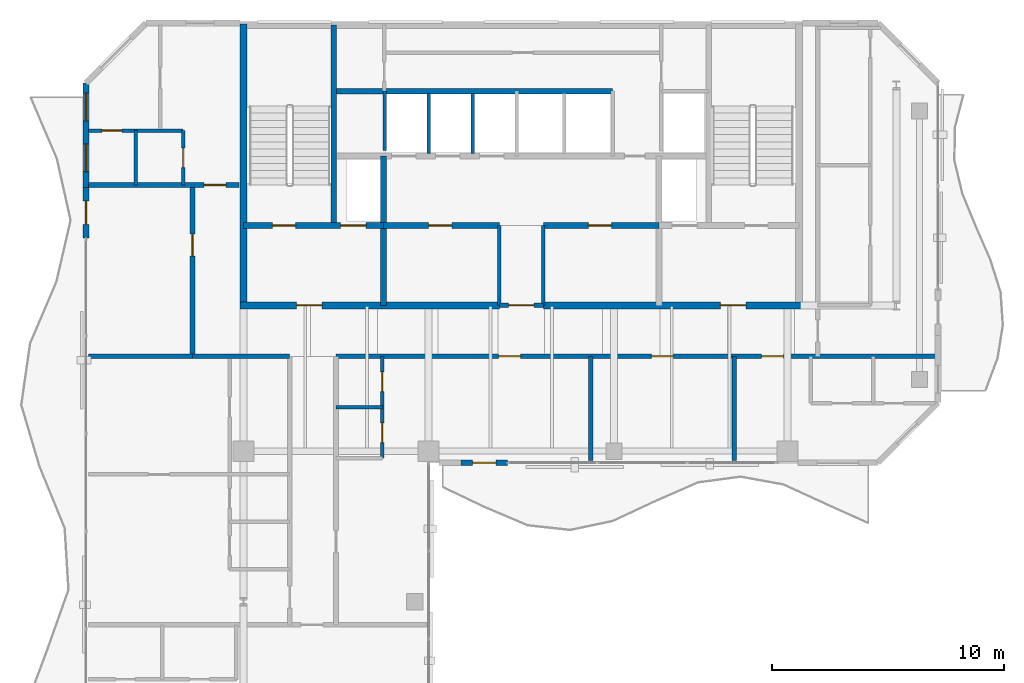
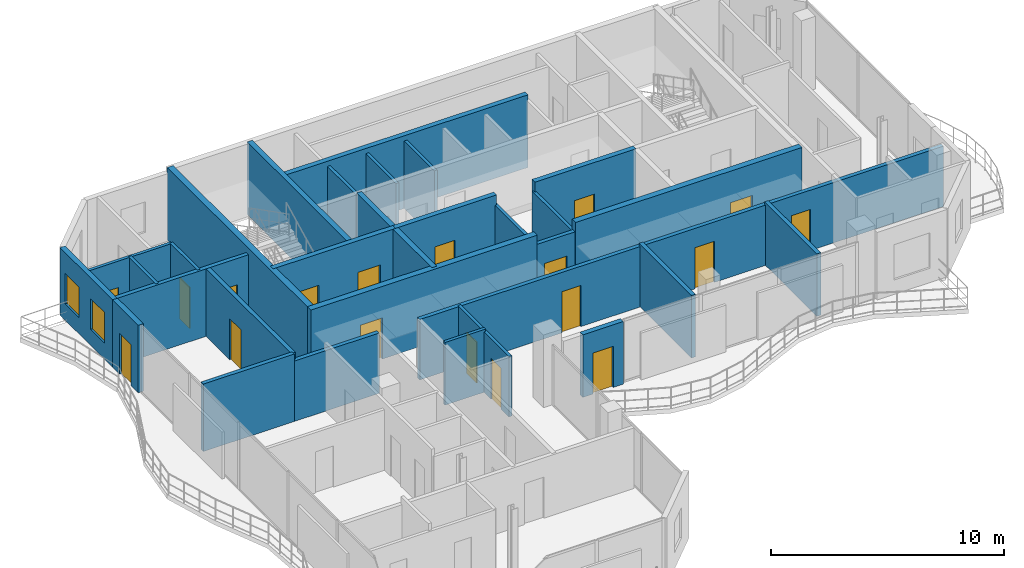
# One storey, part 13 of 17: 30 walls, 18 doors, 2 windows, 20 openings.
"""IFC4 building model written with IfcOpenShell, lengths in metres."""

from ifc_helpers import new_model, si_unit, direction, frame, frame_2d, origin, place, context, subcontext, project, spatial, rectangle, extrude, material, layer, layer_set, type_object, element, fill, save


model = new_model("IFC4")

# Units and contexts
model_context = context("Model", 3, precision=1e-05, world=origin(), true_north=direction((0.0, 1.0)))
body_context = subcontext(model_context, "Body", "Model", "MODEL_VIEW")
ifc_project = project(units=[si_unit("LENGTHUNIT", "METRE"), si_unit("AREAUNIT", "SQUARE_METRE"), si_unit("VOLUMEUNIT", "CUBIC_METRE"), si_unit("PLANEANGLEUNIT", "RADIAN"), si_unit("MASSUNIT", "GRAM", prefix="KILO")], contexts=[model_context])

# Site, building, storey
site_placement = place(None, origin())
site = spatial("IfcSite", under=ifc_project, at=site_placement, CompositionType="ELEMENT")
building_placement = place(site_placement, origin())
building = spatial("IfcBuilding", under=site, at=building_placement, Name="Catumbela Crestline Tower", CompositionType="ELEMENT")
storey_placement = place(building_placement, frame((0.0, 0.0, 271.6)))
storey = spatial("IfcBuildingStorey", under=building, at=storey_placement, Name="L70", CompositionType="ELEMENT", Elevation=271.6)

# Walls
ifc_material_1 = material(Name="Concrete C50/60", Category="concrete")
ifc_layer_1 = layer(ifc_material_1, 0.25, Name="Concrete C50/60")
ifc_layer_set_1 = layer_set([ifc_layer_1], Name="Concrete C50/60")
wall_type_1 = type_object("IfcWallType", Name="CW-250D", PredefinedType="SHEAR", material=ifc_layer_set_1)
wall_1_placement = place(storey_placement, frame((19.9, 34.25, 0.0), z_axis=(0.0, 0.0, 1.0), x_axis=(0.0, 1.0, 0.0)))
element("IfcWall", 1, at=wall_1_placement, inside=storey, type_object=wall_type_1, Name="L70 Structural Core Shear Wall WWEB", PredefinedType="SHEAR", context=body_context, shape_type="SweptSolid", body=[
    extrude(rectangle(XDim=8.65, YDim=0.25, at=frame_2d((4.325, 0.0))), origin(), (0.0, 0.0, 1.0), 3.8),
])
wall_2_placement = place(storey_placement, frame((22.05, 30.8, 0.0), z_axis=(0.0, 0.0, 1.0), x_axis=(0.0, 1.0, 0.0)))
element("IfcWall", 2, at=wall_2_placement, inside=storey, type_object=wall_type_1, Name="L70 Structural Core Shear Wall FFW", PredefinedType="SHEAR", context=body_context, shape_type="SweptSolid", body=[
    extrude(rectangle(XDim=6.45, YDim=0.25, at=frame_2d((3.225, 0.0))), origin(), (0.0, 0.0, 1.0), 3.8),
])

# Wall, openings, doors
wall_3_placement = place(storey_placement, frame((16.0, 34.25, 0.0), z_axis=(0.0, 0.0, 1.0), x_axis=(1.0, 0.0, 0.0)))
wall_3 = element("IfcWall", 3, at=wall_3_placement, inside=storey, type_object=wall_type_1, Name="L70 Structural Core Shear Wall ST1S", PredefinedType="SHEAR", context=body_context, shape_type="SweptSolid", body=[
    extrude(rectangle(XDim=6.05, YDim=0.25, at=frame_2d((3.025, 0.0))), origin(), (0.0, 0.0, 1.0), 3.8),
])
opening_1_placement = place(wall_3_placement, frame((1.25, 0.0, 0.0)))
opening_1 = element("IfcOpeningElement", 4, at=opening_1_placement, cuts=wall_3, Name="Opening DF9-100", PredefinedType="OPENING", context=body_context, shape_type="SweptSolid", body=[
    extrude(rectangle(XDim=1.0, YDim=2.15, at=frame_2d((0.5, 1.075))), frame((0.0, 0.135, 0.0), z_axis=(0.0, -1.0, 0.0), x_axis=(1.0, 0.0, 0.0)), (0.0, 0.0, 1.0), 0.27),
])
opening_2_placement = place(wall_3_placement, frame((4.2, 0.0, 0.0)))
opening_2 = element("IfcOpeningElement", 5, at=opening_2_placement, cuts=wall_3, Name="Opening LD-110", PredefinedType="OPENING", context=body_context, shape_type="SweptSolid", body=[
    extrude(rectangle(XDim=1.1, YDim=2.15, at=frame_2d((0.55, 1.075))), frame((0.0, 0.135, 0.0), z_axis=(0.0, -1.0, 0.0), x_axis=(1.0, 0.0, 0.0)), (0.0, 0.0, 1.0), 0.27),
])
ifc_material_2 = material(Name="Stainless steel EN 1.4401", Category="steel")
door_type_1 = type_object("IfcDoorType", Name="DF9-100", OperationType="NOTDEFINED", PredefinedType="DOOR", material=ifc_material_2)
door_1_placement = place(opening_1_placement, origin())
door_1 = element("IfcDoor", 6, at=door_1_placement, inside=storey, type_object=door_type_1, Name="L70 Interior Door DR-L70-ST01", OperationType="SINGLE_SWING_LEFT", OverallHeight=2.15, OverallWidth=1.0, PredefinedType="DOOR", context=body_context, shape_type="SweptSolid", body=[
    extrude(rectangle(XDim=1.0, YDim=2.15, at=frame_2d((0.5, 1.075))), frame((0.0, 0.025, 0.0), z_axis=(0.0, -1.0, 0.0), x_axis=(1.0, 0.0, 0.0)), (0.0, 0.0, 1.0), 0.05),
])
fill(opening_1, door_1)
door_type_2 = type_object("IfcDoorType", Name="LD-110", OperationType="NOTDEFINED", PredefinedType="DOOR", material=ifc_material_2)
door_2_placement = place(opening_2_placement, origin())
door_2 = element("IfcDoor", 7, at=door_2_placement, inside=storey, type_object=door_type_2, Name="L70 Lift Landing Sliding Door FL-01", OperationType="DOUBLE_DOOR_SLIDING", OverallHeight=2.15, OverallWidth=1.1, PredefinedType="DOOR", context=body_context, shape_type="SweptSolid", body=[
    extrude(rectangle(XDim=1.1, YDim=2.15, at=frame_2d((0.55, 1.075))), frame((0.0, 0.025, 0.0), z_axis=(0.0, -1.0, 0.0), x_axis=(1.0, 0.0, 0.0)), (0.0, 0.0, 1.0), 0.05),
])
fill(opening_2, door_2)

# Wall, opening, door
wall_4_placement = place(storey_placement, frame((22.05, 34.25, 0.0), z_axis=(0.0, 0.0, 1.0), x_axis=(1.0, 0.0, 0.0)))
wall_4 = element("IfcWall", 8, at=wall_4_placement, inside=storey, type_object=wall_type_1, Name="L70 Structural Core Shear Wall LIFTS-W", PredefinedType="SHEAR", context=body_context, shape_type="SweptSolid", body=[
    extrude(rectangle(XDim=5.0, YDim=0.25, at=frame_2d((2.5, 0.0))), origin(), (0.0, 0.0, 1.0), 3.8),
])
opening_3_placement = place(wall_4_placement, frame((1.95, 0.0, 0.0)))
opening_3 = element("IfcOpeningElement", 9, at=opening_3_placement, cuts=wall_4, Name="Opening DF9-100", PredefinedType="OPENING", context=body_context, shape_type="SweptSolid", body=[
    extrude(rectangle(XDim=1.0, YDim=2.15, at=frame_2d((0.5, 1.075))), frame((0.0, 0.135, 0.0), z_axis=(0.0, -1.0, 0.0), x_axis=(1.0, 0.0, 0.0)), (0.0, 0.0, 1.0), 0.27),
])
door_3_placement = place(opening_3_placement, origin())
door_3 = element("IfcDoor", 10, at=door_3_placement, inside=storey, type_object=door_type_1, Name="L70 Interior Door DR-L70-RECL1", OperationType="SINGLE_SWING_LEFT", OverallHeight=2.15, OverallWidth=1.0, PredefinedType="DOOR", context=body_context, shape_type="SweptSolid", body=[
    extrude(rectangle(XDim=1.0, YDim=2.15, at=frame_2d((0.5, 1.075))), frame((0.0, 0.025, 0.0), z_axis=(0.0, -1.0, 0.0), x_axis=(1.0, 0.0, 0.0)), (0.0, 0.0, 1.0), 0.05),
])
fill(opening_3, door_3)

wall_5_placement = place(storey_placement, frame((28.95, 34.25, 0.0), z_axis=(0.0, 0.0, 1.0), x_axis=(1.0, 0.0, 0.0)))
wall_5 = element("IfcWall", 11, at=wall_5_placement, inside=storey, type_object=wall_type_1, Name="L70 Structural Core Shear Wall LIFTS-E", PredefinedType="SHEAR", context=body_context, shape_type="SweptSolid", body=[
    extrude(rectangle(XDim=5.0, YDim=0.25, at=frame_2d((2.5, 0.0))), origin(), (0.0, 0.0, 1.0), 3.8),
])
opening_4_placement = place(wall_5_placement, frame((1.95, 0.0, 0.0)))
opening_4 = element("IfcOpeningElement", 12, at=opening_4_placement, cuts=wall_5, Name="Opening DF9-100", PredefinedType="OPENING", context=body_context, shape_type="SweptSolid", body=[
    extrude(rectangle(XDim=1.0, YDim=2.15, at=frame_2d((0.5, 1.075))), frame((0.0, 0.135, 0.0), z_axis=(0.0, -1.0, 0.0), x_axis=(1.0, 0.0, 0.0)), (0.0, 0.0, 1.0), 0.27),
])
door_4_placement = place(opening_4_placement, origin())
door_4 = element("IfcDoor", 13, at=door_4_placement, inside=storey, type_object=door_type_1, Name="L70 Interior Door DR-L70-RECL2", OperationType="SINGLE_SWING_RIGHT", OverallHeight=2.15, OverallWidth=1.0, PredefinedType="DOOR", context=body_context, shape_type="SweptSolid", body=[
    extrude(rectangle(XDim=1.0, YDim=2.15, at=frame_2d((0.5, 1.075))), frame((0.0, 0.025, 0.0), z_axis=(0.0, -1.0, 0.0), x_axis=(1.0, 0.0, 0.0)), (0.0, 0.0, 1.0), 0.05),
])
fill(opening_4, door_4)

# Walls
wall_6_placement = place(storey_placement, frame((19.9, 40.05, 0.0), z_axis=(0.0, 0.0, 1.0), x_axis=(1.0, 0.0, 0.0)))
element("IfcWall", 14, at=wall_6_placement, inside=storey, type_object=wall_type_1, Name="L70 Structural Core Shear Wall COREN", PredefinedType="SHEAR", context=body_context, shape_type="SweptSolid", body=[
    extrude(rectangle(XDim=12.05, YDim=0.25, at=frame_2d((6.025, 0.0))), origin(), (0.0, 0.0, 1.0), 3.8),
])
ifc_material_3 = material(Name="Concrete C45/55", Category="concrete")
ifc_layer_2 = layer(ifc_material_3, 0.3, Name="Concrete C45/55")
ifc_layer_set_2 = layer_set([ifc_layer_2], Name="Concrete C45/55")
wall_type_2 = type_object("IfcWallType", Name="CW-300C", PredefinedType="SHEAR", material=ifc_layer_set_2)
wall_7_placement = place(storey_placement, frame((16.0, 30.65, 0.0), z_axis=(0.0, 0.0, 1.0), x_axis=(0.0, 1.0, 0.0)))
element("IfcWall", 15, at=wall_7_placement, inside=storey, type_object=wall_type_2, Name="L70 Structural Core Shear Wall W", PredefinedType="SHEAR", context=body_context, shape_type="SweptSolid", body=[
    extrude(rectangle(XDim=12.3, YDim=0.3, at=frame_2d((6.15, 0.0))), origin(), (0.0, 0.0, 1.0), 3.8),
])

# Wall, opening, door
wall_8_placement = place(storey_placement, frame((15.85, 30.8, 0.0), z_axis=(0.0, 0.0, 1.0), x_axis=(1.0, 0.0, 0.0)))
wall_8 = element("IfcWall", 16, at=wall_8_placement, inside=storey, type_object=wall_type_2, Name="L70 Structural Core Shear Wall SW", PredefinedType="SHEAR", context=body_context, shape_type="SweptSolid", body=[
    extrude(rectangle(XDim=11.2, YDim=0.3, at=frame_2d((5.6, 0.0))), origin(), (0.0, 0.0, 1.0), 3.8),
])
opening_5_placement = place(wall_8_placement, frame((2.45, 0.0, 0.0)))
opening_5 = element("IfcOpeningElement", 17, at=opening_5_placement, cuts=wall_8, Name="Opening DF9-110", PredefinedType="OPENING", context=body_context, shape_type="SweptSolid", body=[
    extrude(rectangle(XDim=1.1, YDim=2.15, at=frame_2d((0.55, 1.075))), frame((0.0, 0.16, 0.0), z_axis=(0.0, -1.0, 0.0), x_axis=(1.0, 0.0, 0.0)), (0.0, 0.0, 1.0), 0.32),
])
door_type_3 = type_object("IfcDoorType", Name="DF9-110", OperationType="NOTDEFINED", PredefinedType="DOOR", material=ifc_material_2)
door_5_placement = place(opening_5_placement, origin())
door_5 = element("IfcDoor", 18, at=door_5_placement, inside=storey, type_object=door_type_3, Name="L70 Interior Door DR-L70-FFW-S", OperationType="SINGLE_SWING_LEFT", OverallHeight=2.15, OverallWidth=1.1, PredefinedType="DOOR", context=body_context, shape_type="SweptSolid", body=[
    extrude(rectangle(XDim=1.1, YDim=2.15, at=frame_2d((0.55, 1.075))), frame((0.0, 0.025, 0.0), z_axis=(0.0, -1.0, 0.0), x_axis=(1.0, 0.0, 0.0)), (0.0, 0.0, 1.0), 0.05),
])
fill(opening_5, door_5)

wall_9_placement = place(storey_placement, frame((28.95, 30.8, 0.0), z_axis=(0.0, 0.0, 1.0), x_axis=(1.0, 0.0, 0.0)))
wall_9 = element("IfcWall", 19, at=wall_9_placement, inside=storey, type_object=wall_type_2, Name="L70 Structural Core Shear Wall SE", PredefinedType="SHEAR", context=body_context, shape_type="SweptSolid", body=[
    extrude(rectangle(XDim=11.2, YDim=0.3, at=frame_2d((5.6, 0.0))), origin(), (0.0, 0.0, 1.0), 3.8),
])
opening_6_placement = place(wall_9_placement, frame((7.65, 0.0, 0.0)))
opening_6 = element("IfcOpeningElement", 20, at=opening_6_placement, cuts=wall_9, Name="Opening DF9-110", PredefinedType="OPENING", context=body_context, shape_type="SweptSolid", body=[
    extrude(rectangle(XDim=1.1, YDim=2.15, at=frame_2d((0.55, 1.075))), frame((0.0, 0.16, 0.0), z_axis=(0.0, -1.0, 0.0), x_axis=(1.0, 0.0, 0.0)), (0.0, 0.0, 1.0), 0.32),
])
door_6_placement = place(opening_6_placement, origin())
door_6 = element("IfcDoor", 21, at=door_6_placement, inside=storey, type_object=door_type_3, Name="L70 Interior Door DR-L70-FFE-S", OperationType="SINGLE_SWING_RIGHT", OverallHeight=2.15, OverallWidth=1.1, PredefinedType="DOOR", context=body_context, shape_type="SweptSolid", body=[
    extrude(rectangle(XDim=1.1, YDim=2.15, at=frame_2d((0.55, 1.075))), frame((0.0, 0.025, 0.0), z_axis=(0.0, -1.0, 0.0), x_axis=(1.0, 0.0, 0.0)), (0.0, 0.0, 1.0), 0.05),
])
fill(opening_6, door_6)

ifc_material_4 = material(Name="Acoustic gypsum and mineral-wool partition")
ifc_layer_3 = layer(ifc_material_4, 0.2, Name="Acoustic gypsum and mineral-wool partition")
ifc_layer_set_3 = layer_set([ifc_layer_3], Name="Acoustic gypsum and mineral-wool partition")
wall_type_3 = type_object("IfcWallType", Name="WC-200", PredefinedType="PARTITIONING", material=ifc_layer_set_3)
wall_10_placement = place(storey_placement, frame((27.05, 30.8, 0.0), z_axis=(0.0, 0.0, 1.0), x_axis=(1.0, 0.0, 0.0)))
wall_10 = element("IfcWall", 22, at=wall_10_placement, inside=storey, type_object=wall_type_3, Name="L70 Interior Partition PW-L70-CLOBS", PredefinedType="PARTITIONING", context=body_context, shape_type="SweptSolid", body=[
    extrude(rectangle(XDim=1.9, YDim=0.2, at=frame_2d((0.95, 0.0))), origin(), (0.0, 0.0, 1.0), 3.28),
])
opening_7_placement = place(wall_10_placement, frame((0.4, 0.0, 0.0)))
opening_7 = element("IfcOpeningElement", 23, at=opening_7_placement, cuts=wall_10, Name="Opening DF9-110", PredefinedType="OPENING", context=body_context, shape_type="SweptSolid", body=[
    extrude(rectangle(XDim=1.1, YDim=2.15, at=frame_2d((0.55, 1.075))), frame((0.0, 0.11, 0.0), z_axis=(0.0, -1.0, 0.0), x_axis=(1.0, 0.0, 0.0)), (0.0, 0.0, 1.0), 0.22),
])
door_7_placement = place(opening_7_placement, origin())
door_7 = element("IfcDoor", 24, at=door_7_placement, inside=storey, type_object=door_type_3, Name="L70 Interior Door DR-L70-CLOBS", OperationType="SINGLE_SWING_LEFT", OverallHeight=2.15, OverallWidth=1.1, PredefinedType="DOOR", context=body_context, shape_type="SweptSolid", body=[
    extrude(rectangle(XDim=1.1, YDim=2.15, at=frame_2d((0.55, 1.075))), frame((0.0, 0.025, 0.0), z_axis=(0.0, -1.0, 0.0), x_axis=(1.0, 0.0, 0.0)), (0.0, 0.0, 1.0), 0.05),
])
fill(opening_7, door_7)

# Wall
wall_11_placement = place(storey_placement, frame((13.8, 28.6, 0.0), z_axis=(0.0, 0.0, 1.0), x_axis=(1.0, 0.0, 0.0)))
element("IfcWall", 25, at=wall_11_placement, inside=storey, type_object=wall_type_3, Name="L70 Interior Partition PW-L70-RCWL", PredefinedType="PARTITIONING", context=body_context, shape_type="SweptSolid", body=[
    extrude(rectangle(XDim=4.2, YDim=0.2, at=frame_2d((2.1, 0.0))), origin(), (0.0, 0.0, 1.0), 3.16),
])

# Wall, openings, doors
wall_12_placement = place(storey_placement, frame((20.0, 28.6, 0.0), z_axis=(0.0, 0.0, 1.0), x_axis=(1.0, 0.0, 0.0)))
wall_12 = element("IfcWall", 26, at=wall_12_placement, inside=storey, type_object=wall_type_3, Name="L70 Interior Partition PW-L70-RCWR", PredefinedType="PARTITIONING", context=body_context, shape_type="SweptSolid", body=[
    extrude(rectangle(XDim=25.9, YDim=0.2, at=frame_2d((12.95, 0.0))), origin(), (0.0, 0.0, 1.0), 3.16),
])
opening_8_placement = place(wall_12_placement, frame((7.025, 0.0, 0.0)))
opening_8 = element("IfcOpeningElement", 27, at=opening_8_placement, cuts=wall_12, Name="Opening DF6-095", PredefinedType="OPENING", context=body_context, shape_type="SweptSolid", body=[
    extrude(rectangle(XDim=0.95, YDim=2.15, at=frame_2d((0.475, 1.075))), frame((0.0, 0.11, 0.0), z_axis=(0.0, -1.0, 0.0), x_axis=(1.0, 0.0, 0.0)), (0.0, 0.0, 1.0), 0.22),
])
opening_9_placement = place(wall_12_placement, frame((13.625, 0.0, 0.0)))
opening_9 = element("IfcOpeningElement", 28, at=opening_9_placement, cuts=wall_12, Name="Opening DF6-095", PredefinedType="OPENING", context=body_context, shape_type="SweptSolid", body=[
    extrude(rectangle(XDim=0.95, YDim=2.15, at=frame_2d((0.475, 1.075))), frame((0.0, 0.11, 0.0), z_axis=(0.0, -1.0, 0.0), x_axis=(1.0, 0.0, 0.0)), (0.0, 0.0, 1.0), 0.22),
])
opening_10_placement = place(wall_12_placement, frame((18.378, 0.0, 0.0)))
opening_10 = element("IfcOpeningElement", 29, at=opening_10_placement, cuts=wall_12, Name="Opening DF6-095", PredefinedType="OPENING", context=body_context, shape_type="SweptSolid", body=[
    extrude(rectangle(XDim=0.95, YDim=2.15, at=frame_2d((0.475, 1.075))), frame((0.0, 0.11, 0.0), z_axis=(0.0, -1.0, 0.0), x_axis=(1.0, 0.0, 0.0)), (0.0, 0.0, 1.0), 0.22),
])
ifc_material_5 = material(Name="Aluminium alloy AW-6060-T66", Category="aluminium")
door_type_4 = type_object("IfcDoorType", Name="DF6-095", OperationType="NOTDEFINED", PredefinedType="DOOR", material=ifc_material_5)
door_8_placement = place(opening_8_placement, origin())
door_8 = element("IfcDoor", 30, at=door_8_placement, inside=storey, type_object=door_type_4, Name="L70 Interior Door DR-L70-Z4G41-ENT", OperationType="SINGLE_SWING_LEFT", OverallHeight=2.15, OverallWidth=0.95, PredefinedType="DOOR", context=body_context, shape_type="SweptSolid", body=[
    extrude(rectangle(XDim=0.95, YDim=2.15, at=frame_2d((0.475, 1.075))), frame((0.0, 0.025, 0.0), z_axis=(0.0, -1.0, 0.0), x_axis=(1.0, 0.0, 0.0)), (0.0, 0.0, 1.0), 0.05),
])
fill(opening_8, door_8)
door_9_placement = place(opening_9_placement, origin())
door_9 = element("IfcDoor", 31, at=door_9_placement, inside=storey, type_object=door_type_4, Name="L70 Interior Door DR-L70-Z4G42-ENT", OperationType="SINGLE_SWING_RIGHT", OverallHeight=2.15, OverallWidth=0.95, PredefinedType="DOOR", context=body_context, shape_type="SweptSolid", body=[
    extrude(rectangle(XDim=0.95, YDim=2.15, at=frame_2d((0.475, 1.075))), frame((0.0, 0.025, 0.0), z_axis=(0.0, -1.0, 0.0), x_axis=(1.0, 0.0, 0.0)), (0.0, 0.0, 1.0), 0.05),
])
fill(opening_9, door_9)
door_10_placement = place(opening_10_placement, origin())
door_10 = element("IfcDoor", 32, at=door_10_placement, inside=storey, type_object=door_type_4, Name="L70 Interior Door DR-L70-S3-ENT", OperationType="SINGLE_SWING_LEFT", OverallHeight=2.15, OverallWidth=0.95, PredefinedType="DOOR", context=body_context, shape_type="SweptSolid", body=[
    extrude(rectangle(XDim=0.95, YDim=2.15, at=frame_2d((0.475, 1.075))), frame((0.0, 0.025, 0.0), z_axis=(0.0, -1.0, 0.0), x_axis=(1.0, 0.0, 0.0)), (0.0, 0.0, 1.0), 0.05),
])
fill(opening_10, door_10)

# Wall, opening, door
wall_13_placement = place(storey_placement, frame((13.8, 28.6, 0.0), z_axis=(0.0, 0.0, 1.0), x_axis=(0.0, 1.0, 0.0)))
wall_13 = element("IfcWall", 33, at=wall_13_placement, inside=storey, type_object=wall_type_3, Name="L70 Interior Partition PW-L70-NWAM-ENT", PredefinedType="PARTITIONING", context=body_context, shape_type="SweptSolid", body=[
    extrude(rectangle(XDim=7.4, YDim=0.2, at=frame_2d((3.7, 0.0))), origin(), (0.0, 0.0, 1.0), 3.53),
])
opening_11_placement = place(wall_13_placement, frame((4.325, 0.0, 0.0)))
opening_11 = element("IfcOpeningElement", 34, at=opening_11_placement, cuts=wall_13, Name="Opening DF6-095", PredefinedType="OPENING", context=body_context, shape_type="SweptSolid", body=[
    extrude(rectangle(XDim=0.95, YDim=2.15, at=frame_2d((0.475, 1.075))), frame((0.0, 0.11, 0.0), z_axis=(0.0, -1.0, 0.0), x_axis=(1.0, 0.0, 0.0)), (0.0, 0.0, 1.0), 0.22),
])
door_11_placement = place(opening_11_placement, origin())
door_11 = element("IfcDoor", 35, at=door_11_placement, inside=storey, type_object=door_type_4, Name="L70 Interior Door DR-L70-NWAM-ENT", OperationType="SINGLE_SWING_RIGHT", OverallHeight=2.15, OverallWidth=0.95, PredefinedType="DOOR", context=body_context, shape_type="SweptSolid", body=[
    extrude(rectangle(XDim=0.95, YDim=2.15, at=frame_2d((0.475, 1.075))), frame((0.0, 0.025, 0.0), z_axis=(0.0, -1.0, 0.0), x_axis=(1.0, 0.0, 0.0)), (0.0, 0.0, 1.0), 0.05),
])
fill(opening_11, door_11)

wall_14_placement = place(storey_placement, frame((9.3, 36.0, 0.0), z_axis=(0.0, 0.0, 1.0), x_axis=(1.0, 0.0, 0.0)))
wall_14 = element("IfcWall", 36, at=wall_14_placement, inside=storey, type_object=wall_type_3, Name="L70 Interior Partition PW-L70-NW1-ENT", PredefinedType="PARTITIONING", context=body_context, shape_type="SweptSolid", body=[
    extrude(rectangle(XDim=6.5, YDim=0.2, at=frame_2d((3.25, 0.0))), origin(), (0.0, 0.0, 1.0), 3.53),
])
opening_12_placement = place(wall_14_placement, frame((4.995, 0.0, 0.0)))
opening_12 = element("IfcOpeningElement", 37, at=opening_12_placement, cuts=wall_14, Name="Opening DF6-095", PredefinedType="OPENING", context=body_context, shape_type="SweptSolid", body=[
    extrude(rectangle(XDim=0.95, YDim=2.15, at=frame_2d((0.475, 1.075))), frame((0.0, 0.11, 0.0), z_axis=(0.0, -1.0, 0.0), x_axis=(1.0, 0.0, 0.0)), (0.0, 0.0, 1.0), 0.22),
])
door_12_placement = place(opening_12_placement, origin())
door_12 = element("IfcDoor", 38, at=door_12_placement, inside=storey, type_object=door_type_4, Name="L70 Interior Door DR-L70-NW1-ENT", OperationType="SINGLE_SWING_LEFT", OverallHeight=2.15, OverallWidth=0.95, PredefinedType="DOOR", context=body_context, shape_type="SweptSolid", body=[
    extrude(rectangle(XDim=0.95, YDim=2.15, at=frame_2d((0.475, 1.075))), frame((0.0, 0.025, 0.0), z_axis=(0.0, -1.0, 0.0), x_axis=(1.0, 0.0, 0.0)), (0.0, 0.0, 1.0), 0.05),
])
fill(opening_12, door_12)

ifc_material_6 = material(Name="Angolan grey-ochre granite", Category="masonry")
ifc_layer_4 = layer(ifc_material_6, 0.25, Name="Angolan grey-ochre granite")
ifc_layer_set_4 = layer_set([ifc_layer_4], Name="Angolan grey-ochre granite")
wall_type_4 = type_object("IfcWallType", Name="WE-250", PredefinedType="STANDARD", material=ifc_layer_set_4)
wall_15_placement = place(storey_placement, frame((25.4, 24.0, 0.0), z_axis=(0.0, 0.0, 1.0), x_axis=(1.0, 0.0, 0.0)))
wall_15 = element("IfcWall", 39, at=wall_15_placement, inside=storey, type_object=wall_type_4, Name="L70 Exterior Threshold Portal Wall DR-L70-WBAL-1", PredefinedType="STANDARD", context=body_context, shape_type="SweptSolid", body=[
    extrude(rectangle(XDim=2.0, YDim=0.25, at=frame_2d((1.0, 0.0))), origin(), (0.0, 0.0, 1.0), 3.27),
])
opening_13_placement = place(wall_15_placement, frame((0.5, 0.0, 0.0)))
opening_13 = element("IfcOpeningElement", 40, at=opening_13_placement, cuts=wall_15, Name="Opening DB-L70-1", PredefinedType="OPENING", context=body_context, shape_type="SweptSolid", body=[
    extrude(rectangle(XDim=1.0, YDim=2.15, at=frame_2d((0.5, 1.075))), frame((0.0, 0.135, 0.0), z_axis=(0.0, -1.0, 0.0), x_axis=(1.0, 0.0, 0.0)), (0.0, 0.0, 1.0), 0.27),
])
door_type_5 = type_object("IfcDoorType", Name="DB-1000", OperationType="NOTDEFINED", PredefinedType="DOOR", material=ifc_material_5)
door_13_placement = place(opening_13_placement, origin())
door_13 = element("IfcDoor", 41, at=door_13_placement, inside=storey, type_object=door_type_5, Name="L70 Wave Balcony Terrace Door 1", OperationType="SINGLE_SWING_RIGHT", OverallHeight=2.15, OverallWidth=1.0, PredefinedType="DOOR", context=body_context, shape_type="SweptSolid", body=[
    extrude(rectangle(XDim=1.0, YDim=2.15, at=frame_2d((0.5, 1.075))), frame((0.0, 0.025, 0.0), z_axis=(0.0, -1.0, 0.0), x_axis=(1.0, 0.0, 0.0)), (0.0, 0.0, 1.0), 0.05),
])
fill(opening_13, door_13)

wall_16_placement = place(storey_placement, frame((9.2, 35.9, 0.0), z_axis=(0.0, 0.0, 1.0), x_axis=(0.0, -1.0, 0.0)))
wall_16 = element("IfcWall", 42, at=wall_16_placement, inside=storey, type_object=wall_type_4, Name="L70 Exterior Threshold Portal Wall DR-L70-WBAL-4", PredefinedType="STANDARD", context=body_context, shape_type="SweptSolid", body=[
    extrude(rectangle(XDim=2.2, YDim=0.25, at=frame_2d((1.1, 0.0))), origin(), (0.0, 0.0, 1.0), 3.53),
])
opening_14_placement = place(wall_16_placement, frame((0.6, 0.0, 0.0)))
opening_14 = element("IfcOpeningElement", 43, at=opening_14_placement, cuts=wall_16, Name="Opening DB-L70-4", PredefinedType="OPENING", context=body_context, shape_type="SweptSolid", body=[
    extrude(rectangle(XDim=1.0, YDim=2.15, at=frame_2d((0.5, 1.075))), frame((0.0, 0.135, 0.0), z_axis=(0.0, -1.0, 0.0), x_axis=(1.0, 0.0, 0.0)), (0.0, 0.0, 1.0), 0.27),
])
door_14_placement = place(opening_14_placement, origin())
door_14 = element("IfcDoor", 44, at=door_14_placement, inside=storey, type_object=door_type_5, Name="L70 Wave Balcony Terrace Door 4", OperationType="SINGLE_SWING_LEFT", OverallHeight=2.15, OverallWidth=1.0, PredefinedType="DOOR", context=body_context, shape_type="SweptSolid", body=[
    extrude(rectangle(XDim=1.0, YDim=2.15, at=frame_2d((0.5, 1.075))), frame((0.0, 0.025, 0.0), z_axis=(0.0, -1.0, 0.0), x_axis=(1.0, 0.0, 0.0)), (0.0, 0.0, 1.0), 0.05),
])
fill(opening_14, door_14)

# Wall, openings, windows
wall_17_placement = place(storey_placement, frame((9.2, 40.4, 0.0), z_axis=(0.0, 0.0, 1.0), x_axis=(0.0, -1.0, 0.0)))
wall_17 = element("IfcWall", 45, at=wall_17_placement, inside=storey, type_object=wall_type_4, Name="L70 Granite Punched Window Wall 9-1", PredefinedType="STANDARD", context=body_context, shape_type="SweptSolid", body=[
    extrude(rectangle(XDim=4.5, YDim=0.25, at=frame_2d((2.25, 0.0))), origin(), (0.0, 0.0, 1.0), 3.53),
])
opening_15_placement = place(wall_17_placement, frame((0.435, 0.0, 0.85)))
opening_15 = element("IfcOpeningElement", 46, at=opening_15_placement, cuts=wall_17, Name="Opening WN-02", PredefinedType="OPENING", context=body_context, shape_type="SweptSolid", body=[
    extrude(rectangle(XDim=1.2, YDim=1.6, at=frame_2d((0.6, 0.8))), frame((0.0, 0.135, 0.0), z_axis=(0.0, -1.0, 0.0), x_axis=(1.0, 0.0, 0.0)), (0.0, 0.0, 1.0), 0.27),
])
opening_16_placement = place(wall_17_placement, frame((2.625, 0.0, 0.85)))
opening_16 = element("IfcOpeningElement", 47, at=opening_16_placement, cuts=wall_17, Name="Opening WN-02", PredefinedType="OPENING", context=body_context, shape_type="SweptSolid", body=[
    extrude(rectangle(XDim=1.2, YDim=1.6, at=frame_2d((0.6, 0.8))), frame((0.0, 0.135, 0.0), z_axis=(0.0, -1.0, 0.0), x_axis=(1.0, 0.0, 0.0)), (0.0, 0.0, 1.0), 0.27),
])
ifc_material_7 = material(Name="Low-E laminated solar-control double glazing", Category="glass")
window_type = type_object("IfcWindowType", Name="WO-1200", PartitioningType="SINGLE_PANEL", PredefinedType="WINDOW", material=ifc_material_7)
window_1_placement = place(opening_15_placement, origin())
window_1 = element("IfcWindow", 48, at=window_1_placement, inside=storey, type_object=window_type, Name="L70 Facade Vision Window 560", OverallHeight=1.6, OverallWidth=1.2, PartitioningType="SINGLE_PANEL", PredefinedType="WINDOW", context=body_context, shape_type="SweptSolid", body=[
    extrude(rectangle(XDim=1.2, YDim=1.6, at=frame_2d((0.6, 0.8))), frame((0.0, 0.03, 0.0), z_axis=(0.0, -1.0, 0.0), x_axis=(1.0, 0.0, 0.0)), (0.0, 0.0, 1.0), 0.06),
])
fill(opening_15, window_1)
window_2_placement = place(opening_16_placement, origin())
window_2 = element("IfcWindow", 49, at=window_2_placement, inside=storey, type_object=window_type, Name="L70 Facade Vision Window 561", OverallHeight=1.6, OverallWidth=1.2, PartitioningType="SINGLE_PANEL", PredefinedType="WINDOW", context=body_context, shape_type="SweptSolid", body=[
    extrude(rectangle(XDim=1.2, YDim=1.6, at=frame_2d((0.6, 0.8))), frame((0.0, 0.03, 0.0), z_axis=(0.0, -1.0, 0.0), x_axis=(1.0, 0.0, 0.0)), (0.0, 0.0, 1.0), 0.06),
])
fill(opening_16, window_2)

# Wall, opening, door
ifc_layer_5 = layer(ifc_material_4, 0.15, Name="Acoustic gypsum and mineral-wool partition")
ifc_layer_set_5 = layer_set([ifc_layer_5], Name="Acoustic gypsum and mineral-wool partition")
wall_type_5 = type_object("IfcWallType", Name="WP-150", PredefinedType="PARTITIONING", material=ifc_layer_set_5)
wall_18_placement = place(storey_placement, frame((13.4, 36.0, 0.0), z_axis=(0.0, 0.0, 1.0), x_axis=(0.0, 1.0, 0.0)))
wall_18 = element("IfcWall", 50, at=wall_18_placement, inside=storey, type_object=wall_type_5, Name="L70 Interior Partition PW-L70-NW1-KBE", PredefinedType="PARTITIONING", context=body_context, shape_type="SweptSolid", body=[
    extrude(rectangle(XDim=2.35, YDim=0.15, at=frame_2d((1.175, 0.0))), origin(), (0.0, 0.0, 1.0), 3.53),
])
opening_17_placement = place(wall_18_placement, frame((0.75, 0.0, 0.0)))
opening_17 = element("IfcOpeningElement", 51, at=opening_17_placement, cuts=wall_18, Name="Opening DI-085", PredefinedType="OPENING", context=body_context, shape_type="SweptSolid", body=[
    extrude(rectangle(XDim=0.85, YDim=2.15, at=frame_2d((0.425, 1.075))), frame((0.0, 0.085, 0.0), z_axis=(0.0, -1.0, 0.0), x_axis=(1.0, 0.0, 0.0)), (0.0, 0.0, 1.0), 0.17),
])
door_type_6 = type_object("IfcDoorType", Name="DI-085", OperationType="NOTDEFINED", PredefinedType="DOOR", material=ifc_material_5)
door_15_placement = place(opening_17_placement, origin())
door_15 = element("IfcDoor", 52, at=door_15_placement, inside=storey, type_object=door_type_6, Name="L70 Interior Door DR-L70-NW1-BTH", OperationType="SINGLE_SWING_LEFT", OverallHeight=2.15, OverallWidth=0.85, PredefinedType="DOOR", context=body_context, shape_type="SweptSolid", body=[
    extrude(rectangle(XDim=0.85, YDim=2.15, at=frame_2d((0.425, 1.075))), frame((0.0, 0.025, 0.0), z_axis=(0.0, -1.0, 0.0), x_axis=(1.0, 0.0, 0.0)), (0.0, 0.0, 1.0), 0.05),
])
fill(opening_17, door_15)

# Wall
wall_19_placement = place(storey_placement, frame((11.35, 36.0, 0.0), z_axis=(0.0, 0.0, 1.0), x_axis=(0.0, 1.0, 0.0)))
element("IfcWall", 53, at=wall_19_placement, inside=storey, type_object=wall_type_5, Name="L70 Interior Partition PW-L70-NW1-KBM", PredefinedType="PARTITIONING", context=body_context, shape_type="SweptSolid", body=[
    extrude(rectangle(XDim=2.35, YDim=0.15, at=frame_2d((1.175, 0.0))), origin(), (0.0, 0.0, 1.0), 3.53),
])

# Wall, opening, door
wall_20_placement = place(storey_placement, frame((9.3, 38.35, 0.0), z_axis=(0.0, 0.0, 1.0), x_axis=(1.0, 0.0, 0.0)))
wall_20 = element("IfcWall", 54, at=wall_20_placement, inside=storey, type_object=wall_type_5, Name="L70 Interior Partition PW-L70-NW1-KBD1", PredefinedType="PARTITIONING", context=body_context, shape_type="SweptSolid", body=[
    extrude(rectangle(XDim=4.1, YDim=0.15, at=frame_2d((2.05, 0.0))), origin(), (0.0, 0.0, 1.0), 3.53),
])
opening_18_placement = place(wall_20_placement, frame((0.6, 0.0, 0.0)))
opening_18 = element("IfcOpeningElement", 55, at=opening_18_placement, cuts=wall_20, Name="Opening DI-085", PredefinedType="OPENING", context=body_context, shape_type="SweptSolid", body=[
    extrude(rectangle(XDim=0.85, YDim=2.15, at=frame_2d((0.425, 1.075))), frame((0.0, 0.085, 0.0), z_axis=(0.0, -1.0, 0.0), x_axis=(1.0, 0.0, 0.0)), (0.0, 0.0, 1.0), 0.17),
])
door_16_placement = place(opening_18_placement, origin())
door_16 = element("IfcDoor", 56, at=door_16_placement, inside=storey, type_object=door_type_6, Name="L70 Interior Door DR-L70-NW1-KIT", OperationType="SINGLE_SWING_LEFT", OverallHeight=2.15, OverallWidth=0.85, PredefinedType="DOOR", context=body_context, shape_type="SweptSolid", body=[
    extrude(rectangle(XDim=0.85, YDim=2.15, at=frame_2d((0.425, 1.075))), frame((0.0, 0.025, 0.0), z_axis=(0.0, -1.0, 0.0), x_axis=(1.0, 0.0, 0.0)), (0.0, 0.0, 1.0), 0.05),
])
fill(opening_18, door_16)

# Wall
wall_21_placement = place(storey_placement, frame((20.0, 26.4, 0.0), z_axis=(0.0, 0.0, 1.0), x_axis=(1.0, 0.0, 0.0)))
element("IfcWall", 57, at=wall_21_placement, inside=storey, type_object=wall_type_5, Name="L70 Interior Partition PW-L70-WR1-KBM", PredefinedType="PARTITIONING", context=body_context, shape_type="SweptSolid", body=[
    extrude(rectangle(XDim=2.0, YDim=0.15, at=frame_2d((1.0, 0.0))), origin(), (0.0, 0.0, 1.0), 3.28),
])

# Wall, openings, doors
wall_22_placement = place(storey_placement, frame((22.0, 24.2, 0.0), z_axis=(0.0, 0.0, 1.0), x_axis=(0.0, 1.0, 0.0)))
wall_22 = element("IfcWall", 58, at=wall_22_placement, inside=storey, type_object=wall_type_5, Name="L70 Interior Partition PW-L70-WR1-SK1", PredefinedType="PARTITIONING", context=body_context, shape_type="SweptSolid", body=[
    extrude(rectangle(XDim=4.4, YDim=0.15, at=frame_2d((2.2, 0.0))), origin(), (0.0, 0.0, 1.0), 3.16),
])
opening_19_placement = place(wall_22_placement, frame((0.675, 0.0, 0.0)))
opening_19 = element("IfcOpeningElement", 59, at=opening_19_placement, cuts=wall_22, Name="Opening DI-085", PredefinedType="OPENING", context=body_context, shape_type="SweptSolid", body=[
    extrude(rectangle(XDim=0.85, YDim=2.15, at=frame_2d((0.425, 1.075))), frame((0.0, 0.085, 0.0), z_axis=(0.0, -1.0, 0.0), x_axis=(1.0, 0.0, 0.0)), (0.0, 0.0, 1.0), 0.17),
])
opening_20_placement = place(wall_22_placement, frame((2.875, 0.0, 0.0)))
opening_20 = element("IfcOpeningElement", 60, at=opening_20_placement, cuts=wall_22, Name="Opening DI-085", PredefinedType="OPENING", context=body_context, shape_type="SweptSolid", body=[
    extrude(rectangle(XDim=0.85, YDim=2.15, at=frame_2d((0.425, 1.075))), frame((0.0, 0.085, 0.0), z_axis=(0.0, -1.0, 0.0), x_axis=(1.0, 0.0, 0.0)), (0.0, 0.0, 1.0), 0.17),
])
door_17_placement = place(opening_19_placement, origin())
door_17 = element("IfcDoor", 61, at=door_17_placement, inside=storey, type_object=door_type_6, Name="L70 Interior Door DR-L70-WR1-KIT", OperationType="SINGLE_SWING_LEFT", OverallHeight=2.15, OverallWidth=0.85, PredefinedType="DOOR", context=body_context, shape_type="SweptSolid", body=[
    extrude(rectangle(XDim=0.85, YDim=2.15, at=frame_2d((0.425, 1.075))), frame((0.0, 0.025, 0.0), z_axis=(0.0, -1.0, 0.0), x_axis=(1.0, 0.0, 0.0)), (0.0, 0.0, 1.0), 0.05),
])
fill(opening_19, door_17)
door_18_placement = place(opening_20_placement, origin())
door_18 = element("IfcDoor", 62, at=door_18_placement, inside=storey, type_object=door_type_6, Name="L70 Interior Door DR-L70-WR1-BTH", OperationType="SINGLE_SWING_RIGHT", OverallHeight=2.15, OverallWidth=0.85, PredefinedType="DOOR", context=body_context, shape_type="SweptSolid", body=[
    extrude(rectangle(XDim=0.85, YDim=2.15, at=frame_2d((0.425, 1.075))), frame((0.0, 0.025, 0.0), z_axis=(0.0, -1.0, 0.0), x_axis=(1.0, 0.0, 0.0)), (0.0, 0.0, 1.0), 0.05),
])
fill(opening_20, door_18)

# Walls
ifc_layer_6 = layer(ifc_material_4, 0.2, Name="Acoustic gypsum and mineral-wool partition")
ifc_layer_set_6 = layer_set([ifc_layer_6], Name="Acoustic gypsum and mineral-wool partition")
wall_type_6 = type_object("IfcWallType", Name="WY-200", PredefinedType="PARTITIONING", material=ifc_layer_set_6)
wall_23_placement = place(storey_placement, frame((9.3, 28.6, 0.0), z_axis=(0.0, 0.0, 1.0), x_axis=(1.0, 0.0, 0.0)))
element("IfcWall", 63, at=wall_23_placement, inside=storey, type_object=wall_type_6, Name="L70 Interior Partition PW-L70-RCWNW", PredefinedType="PARTITIONING", context=body_context, shape_type="SweptSolid", body=[
    extrude(rectangle(XDim=4.5, YDim=0.2, at=frame_2d((2.25, 0.0))), origin(), (0.0, 0.0, 1.0), 3.53),
])
for number, where, z_axis, x_axis, name in (
    (64, (31.0, 24.1, 0.0), (0.0, 0.0, 1.0), (0.0, 1.0, 0.0), "L70 Interior Partition PW-L70-RSPP-2"),
    (65, (37.2, 24.1, 0.0), (0.0, 0.0, 1.0), (0.0, 1.0, 0.0), "L70 Interior Partition PW-L70-RSPP-3"),
):
    element("IfcWall", number, at=place(storey_placement, frame(where, z_axis=z_axis, x_axis=x_axis)), inside=storey, type_object=wall_type_6, Name=name, PredefinedType="PARTITIONING", context=body_context, shape_type="SweptSolid", body=[
        extrude(rectangle(XDim=4.5, YDim=0.2, at=frame_2d((2.25, 0.0))), origin(), (0.0, 0.0, 1.0), 3.27),
    ])
ifc_layer_7 = layer(ifc_material_4, 0.15, Name="Acoustic gypsum and mineral-wool partition")
ifc_layer_set_7 = layer_set([ifc_layer_7], Name="Acoustic gypsum and mineral-wool partition")
wall_type_7 = type_object("IfcWallType", Name="WS-150", PredefinedType="PLUMBINGWALL", material=ifc_layer_set_7)
for number, where, z_axis, x_axis, name in (
    (66, (27.05, 30.8, 0.0), (0.0, 0.0, 1.0), (0.0, 1.0, 0.0), "L70 Interior Partition PW-L70-THRW"),
    (67, (28.95, 30.8, 0.0), (0.0, 0.0, 1.0), (0.0, 1.0, 0.0), "L70 Interior Partition PW-L70-THRE"),
):
    element("IfcWall", number, at=place(storey_placement, frame(where, z_axis=z_axis, x_axis=x_axis)), inside=storey, type_object=wall_type_7, Name=name, PredefinedType="PLUMBINGWALL", context=body_context, shape_type="SweptSolid", body=[
        extrude(rectangle(XDim=3.45, YDim=0.15, at=frame_2d((1.725, 0.0))), origin(), (0.0, 0.0, 1.0), 3.28),
    ])
wall_24_placement = place(storey_placement, frame((22.1, 37.4897, 0.0), z_axis=(0.0, 0.0, 1.0), x_axis=(0.0, 1.0, 0.0)))
element("IfcWall", 68, at=wall_24_placement, inside=storey, type_object=wall_type_7, Name="L70 Interior Partition PW-L70-SHH0", PredefinedType="PLUMBINGWALL", context=body_context, shape_type="SweptSolid", body=[
    extrude(rectangle(XDim=2.5603, YDim=0.15, at=frame_2d((1.2801, 0.0))), origin(), (0.0, 0.0, 1.0), 3.53),
])
for number, where, z_axis, x_axis, name in (
    (69, (24.0, 37.35, 0.0), (0.0, 0.0, 1.0), (0.0, 1.0, 0.0), "L70 Interior Partition PW-L70-SHH1"),
    (70, (25.9, 37.35, 0.0), (0.0, 0.0, 1.0), (0.0, 1.0, 0.0), "L70 Interior Partition PW-L70-SHH2"),
):
    element("IfcWall", number, at=place(storey_placement, frame(where, z_axis=z_axis, x_axis=x_axis)), inside=storey, type_object=wall_type_7, Name=name, PredefinedType="PLUMBINGWALL", context=body_context, shape_type="SweptSolid", body=[
        extrude(rectangle(XDim=2.6, YDim=0.15, at=frame_2d((1.3, 0.0))), origin(), (0.0, 0.0, 1.0), 3.53),
    ])

save(model, "model.ifc")
